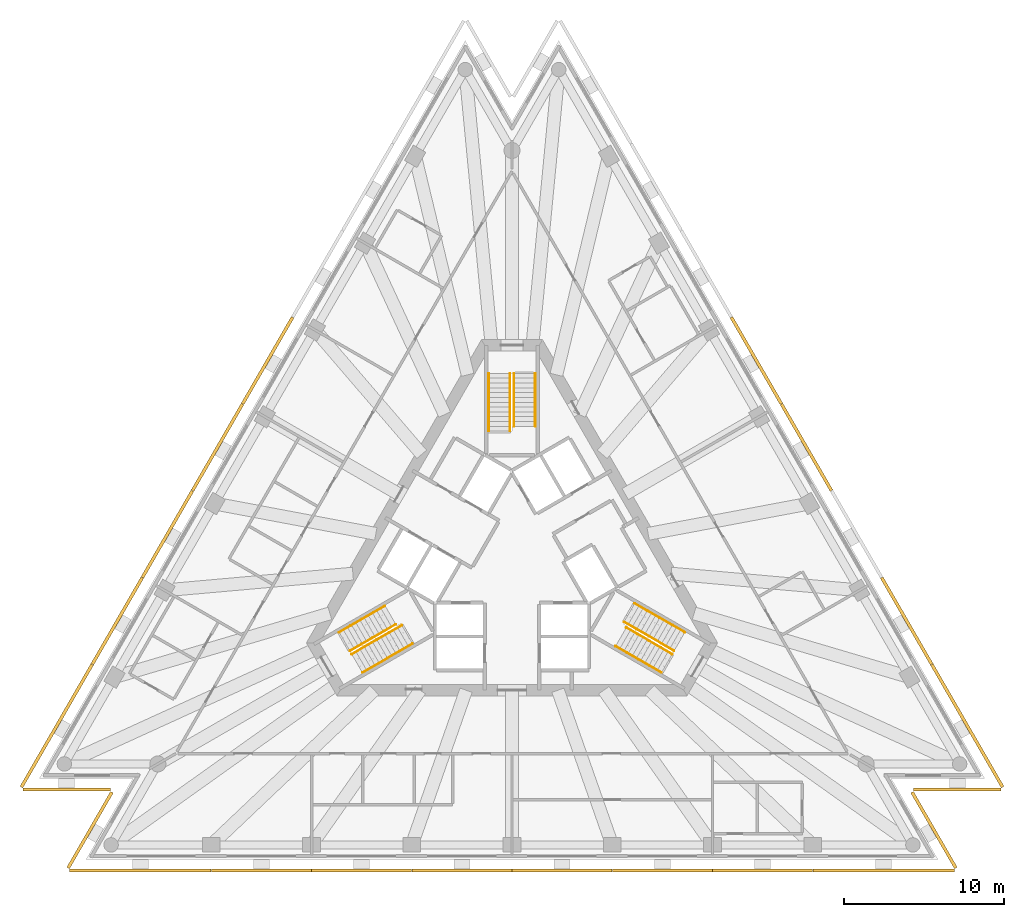
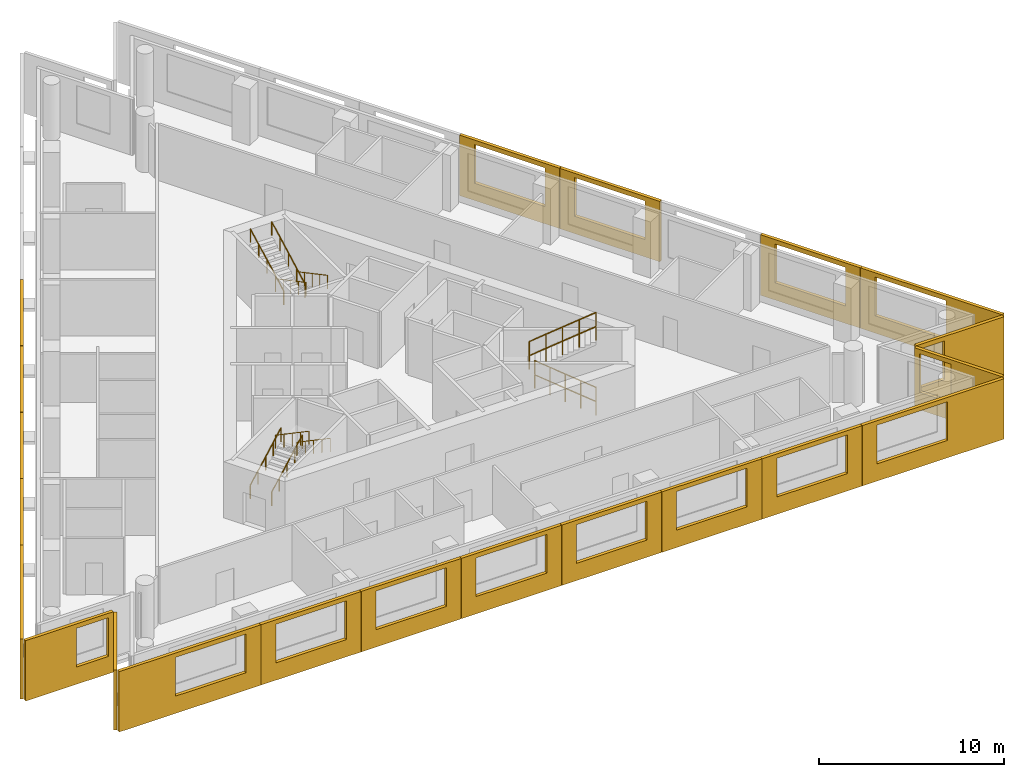
# One storey, part 9 of 10: 21 shading devices, 12 railings, 3 elements without a shape of their own.
"""IFC4 building model written with IfcOpenShell, lengths in metres."""

from ifc_helpers import new_model, si_unit, direction, frame, origin, origin_2d, place, context, subcontext, project, spatial, polyline, circle, outline, extrude, material, layer, layer_set, type_object, element, aggregate, save


model = new_model("IFC4")

# Units and contexts
model_context = context("Model", 3, precision=1e-05, world=origin(), true_north=direction((0.0, 1.0)))
body_context = subcontext(model_context, "Body", "Model", "MODEL_VIEW")
ifc_project = project(units=[si_unit("LENGTHUNIT", "METRE"), si_unit("AREAUNIT", "SQUARE_METRE"), si_unit("VOLUMEUNIT", "CUBIC_METRE"), si_unit("PLANEANGLEUNIT", "RADIAN"), si_unit("MASSUNIT", "GRAM", prefix="KILO")], contexts=[model_context])

# Site, building, storey
site_placement = place(None, origin())
site = spatial("IfcSite", under=ifc_project, at=site_placement, CompositionType="ELEMENT")
building_placement = place(site_placement, origin())
building = spatial("IfcBuilding", under=site, at=building_placement, Name="Triada Interchange Tower", CompositionType="ELEMENT")
storey_placement = place(building_placement, frame((0.0, 0.0, 191.300048828125)))
storey = spatial("IfcBuildingStorey", under=building, at=storey_placement, Name="L44", CompositionType="ELEMENT", Elevation=191.300048828125)

# Shading devices
ifc_material_1 = material(Name="Concrete C50/60 precast", Category="concrete")
ifc_layer_1 = layer(ifc_material_1, 0.02001953125, Name="Exposed aggregate face")
ifc_layer_2 = layer(ifc_material_1, 0.179931640625, Name="Precast concrete screen")
ifc_layer_set = layer_set([ifc_layer_1, ifc_layer_2], Name="Outer skin screen panel 3980")
shading_device_type = type_object("IfcShadingDeviceType", Name="Outer skin screen panel 3980", PredefinedType="SHUTTER", material=ifc_layer_set)
shading_device_1_placement = place(storey_placement, frame((-13.590087890625, 15.050048828125, -0.2900390625), z_axis=(0.0, 0.0, 1.0), x_axis=(-0.50008886669, -0.865974090497, 0.0)))
element("IfcShadingDevice", 1, at=shading_device_1_placement, inside=storey, type_object=shading_device_type, Name="Outer skin screen panel L44 04", PredefinedType="SHUTTER", context=body_context, shape_type="SweptSolid", body=[
    extrude(outline(polyline([(0.0, 0.0), (6.228759765625, 0.0), (6.228759765625, 3.97998046875), (0.0, 3.97998046875), (0.0, 0.0)]), holes=[polyline([(0.913818359375, 1.139892578125), (0.913818359375, 3.68994140625), (5.313720703125, 3.68994140625), (5.313720703125, 1.139892578125), (0.913818359375, 1.139892578125)])]), frame((0.0, 0.0, 0.0), z_axis=(0.0, -1.0, 0.0), x_axis=(1.0, 0.0, 0.0)), (0.0, 0.0, 1.0), 0.199951171875),
])
shading_device_2_placement = place(storey_placement, frame((-16.715087890625, 9.638916015625, -0.2900390625), z_axis=(0.0, 0.0, 1.0), x_axis=(-0.499988254918, -0.866032184704, 0.0)))
element("IfcShadingDevice", 2, at=shading_device_2_placement, inside=storey, type_object=shading_device_type, Name="Outer skin screen panel L44 05", PredefinedType="SHUTTER", context=body_context, shape_type="SweptSolid", body=[
    extrude(outline(polyline([(0.0, 0.0), (6.228271484375, 0.0), (6.228271484375, 3.97998046875), (0.0, 3.97998046875), (0.0, 0.0)]), holes=[polyline([(0.91357421875, 1.139892578125), (0.91357421875, 3.68994140625), (5.313720703125, 3.68994140625), (5.313720703125, 1.139892578125), (0.91357421875, 1.139892578125)])]), frame((0.0, 0.0, 0.0), z_axis=(0.0, -1.0, 0.0), x_axis=(1.0, 0.0, 0.0)), (0.0, 0.0, 1.0), 0.199951171875),
])
shading_device_3_placement = place(storey_placement, frame((-19.839111328125, 4.22802734375, -0.2900390625), z_axis=(0.0, 0.0, 1.0), x_axis=(-0.499941881293, -0.866058956036, 0.0)))
element("IfcShadingDevice", 3, at=shading_device_3_placement, inside=storey, type_object=shading_device_type, Name="Outer skin screen panel L44 06", PredefinedType="SHUTTER", context=body_context, shape_type="SweptSolid", body=[
    extrude(outline(polyline([(0.0, 0.0), (6.228271484375, 0.0), (6.228271484375, 3.97998046875), (0.0, 3.97998046875), (0.0, 0.0)]), holes=[polyline([(0.914306640625, 1.139892578125), (0.914306640625, 3.68994140625), (5.314208984375, 3.68994140625), (5.314208984375, 1.139892578125), (0.914306640625, 1.139892578125)])]), frame((0.0, 0.0, 0.0), z_axis=(0.0, -1.0, 0.0), x_axis=(1.0, 0.0, 0.0)), (0.0, 0.0, 1.0), 0.199951171875),
])
shading_device_4_placement = place(storey_placement, frame((-22.962890625, -1.18310546875, -0.2900390625), z_axis=(0.0, 0.0, 1.0), x_axis=(-0.499988254918, -0.866032184704, 0.0)))
element("IfcShadingDevice", 4, at=shading_device_4_placement, inside=storey, type_object=shading_device_type, Name="Outer skin screen panel L44 07", PredefinedType="SHUTTER", context=body_context, shape_type="SweptSolid", body=[
    extrude(outline(polyline([(0.0, 0.0), (6.228271484375, 0.0), (6.228271484375, 3.97998046875), (0.0, 3.97998046875), (0.0, 0.0)]), holes=[polyline([(0.9140625, 1.139892578125), (0.9140625, 3.68994140625), (5.314208984375, 3.68994140625), (5.314208984375, 1.139892578125), (0.9140625, 1.139892578125)])]), frame((0.0, 0.0, 0.0), z_axis=(0.0, -1.0, 0.0), x_axis=(1.0, 0.0, 0.0)), (0.0, 0.0, 1.0), 0.199951171875),
])
shading_device_5_placement = place(storey_placement, frame((-26.0869140625, -6.593994140625, -0.2900390625), z_axis=(0.0, 0.0, 1.0), x_axis=(-0.499982637805, -0.86603542762, 0.0)))
element("IfcShadingDevice", 5, at=shading_device_5_placement, inside=storey, type_object=shading_device_type, Name="Outer skin screen panel L44 08", PredefinedType="SHUTTER", context=body_context, shape_type="SweptSolid", body=[
    extrude(outline(polyline([(0.0, 0.0), (8.826416015625, 0.0), (8.826416015625, 3.97998046875), (0.0, 3.97998046875), (0.0, 0.0)]), holes=[polyline([(0.913818359375, 1.139892578125), (0.913818359375, 3.68994140625), (5.31396484375, 3.68994140625), (5.31396484375, 1.139892578125), (0.913818359375, 1.139892578125)])]), frame((0.0, 0.0, 0.0), z_axis=(0.0, -1.0, 0.0), x_axis=(1.0, 0.0, 0.0)), (0.0, 0.0, 1.0), 0.199951171875),
])
shading_device_6_placement = place(storey_placement, frame((-30.4951171875, -14.2470703125, -0.2900390625), z_axis=(0.0, 0.0, 1.0), x_axis=(1.0, 0.0, 0.0)))
element("IfcShadingDevice", 6, at=shading_device_6_placement, inside=storey, type_object=shading_device_type, Name="Outer skin screen panel L44 09", PredefinedType="SHUTTER", context=body_context, shape_type="SweptSolid", body=[
    extrude(outline(polyline([(0.0, 0.0), (5.461181640625, 0.0), (5.461181640625, 3.97998046875), (0.0, 3.97998046875), (0.0, 0.0)]), holes=[polyline([(3.175048828125, 1.139892578125), (3.175048828125, 3.68994140625), (5.160888671875, 3.68994140625), (5.160888671875, 1.139892578125), (3.175048828125, 1.139892578125)])]), frame((0.0, 0.0, 0.0), z_axis=(0.0, -1.0, 0.0), x_axis=(1.0, 0.0, 0.0)), (0.0, 0.0, 1.0), 0.199951171875),
])
shading_device_7_placement = place(storey_placement, frame((-24.85498046875, -14.555908203125, -0.2900390625), z_axis=(0.0, 0.0, 1.0), x_axis=(-0.500013942463, -0.86601735395, 0.0)))
element("IfcShadingDevice", 7, at=shading_device_7_placement, inside=storey, type_object=shading_device_type, Name="Outer skin screen panel L44 10", PredefinedType="SHUTTER", context=body_context, shape_type="SweptSolid", body=[
    extrude(outline(polyline([(0.0, 0.0), (5.461669921875, 0.0), (5.461669921875, 3.97998046875), (0.0, 3.97998046875), (0.0, 0.0)]), holes=[polyline([(0.300048828125, 1.139892578125), (0.300048828125, 3.68994140625), (1.758056640625, 3.68994140625), (1.758056640625, 1.139892578125), (0.300048828125, 1.139892578125)])]), frame((0.0, 0.0, 0.0), z_axis=(0.0, -1.0, 0.0), x_axis=(1.0, 0.0, 0.0)), (0.0, 0.0, 1.0), 0.199951171875),
])
shading_device_8_placement = place(storey_placement, frame((-27.5810546875, -19.294921875, -0.2900390625), z_axis=(0.0, 0.0, 1.0), x_axis=(1.0, 0.0, 0.0)))
element("IfcShadingDevice", 8, at=shading_device_8_placement, inside=storey, type_object=shading_device_type, Name="Outer skin screen panel L44 11", PredefinedType="SHUTTER", context=body_context, shape_type="SweptSolid", body=[
    extrude(outline(polyline([(0.0, 0.0), (8.826171875, 0.0), (8.826171875, 3.97998046875), (0.0, 3.97998046875), (0.0, 0.0)]), holes=[polyline([(3.511962890625, 1.139892578125), (3.511962890625, 3.68994140625), (7.912109375, 3.68994140625), (7.912109375, 1.139892578125), (3.511962890625, 1.139892578125)])]), frame((0.0, 0.0, 0.0), z_axis=(0.0, -1.0, 0.0), x_axis=(1.0, 0.0, 0.0)), (0.0, 0.0, 1.0), 0.199951171875),
])
shading_device_9_placement = place(storey_placement, frame((-18.735107421875, -19.294921875, -0.2900390625), z_axis=(0.0, 0.0, 1.0), x_axis=(1.0, 0.0, 0.0)))
element("IfcShadingDevice", 9, at=shading_device_9_placement, inside=storey, type_object=shading_device_type, Name="Outer skin screen panel L44 12", PredefinedType="SHUTTER", context=body_context, shape_type="SweptSolid", body=[
    extrude(outline(polyline([(0.0, 0.0), (6.22900390625, 0.0), (6.22900390625, 3.97998046875), (0.0, 3.97998046875), (0.0, 0.0)]), holes=[polyline([(0.913818359375, 1.139892578125), (0.913818359375, 3.68994140625), (5.313720703125, 3.68994140625), (5.313720703125, 1.139892578125), (0.913818359375, 1.139892578125)])]), frame((0.0, 0.0, 0.0), z_axis=(0.0, -1.0, 0.0), x_axis=(1.0, 0.0, 0.0)), (0.0, 0.0, 1.0), 0.199951171875),
])
shading_device_10_placement = place(storey_placement, frame((-12.486083984375, -19.294921875, -0.2900390625), z_axis=(0.0, 0.0, 1.0), x_axis=(1.0, 0.0, 0.0)))
element("IfcShadingDevice", 10, at=shading_device_10_placement, inside=storey, type_object=shading_device_type, Name="Outer skin screen panel L44 13", PredefinedType="SHUTTER", context=body_context, shape_type="SweptSolid", body=[
    extrude(outline(polyline([(0.0, 0.0), (6.22802734375, 0.0), (6.22802734375, 3.97998046875), (0.0, 3.97998046875), (0.0, 0.0)]), holes=[polyline([(0.91455078125, 1.139892578125), (0.91455078125, 3.68994140625), (5.314453125, 3.68994140625), (5.314453125, 1.139892578125), (0.91455078125, 1.139892578125)])]), frame((0.0, 0.0, 0.0), z_axis=(0.0, -1.0, 0.0), x_axis=(1.0, 0.0, 0.0)), (0.0, 0.0, 1.0), 0.199951171875),
])
shading_device_11_placement = place(storey_placement, frame((-6.238037109375, -19.294921875, -0.2900390625), z_axis=(0.0, 0.0, 1.0), x_axis=(1.0, 0.0, 0.0)))
element("IfcShadingDevice", 11, at=shading_device_11_placement, inside=storey, type_object=shading_device_type, Name="Outer skin screen panel L44 14", PredefinedType="SHUTTER", context=body_context, shape_type="SweptSolid", body=[
    extrude(outline(polyline([(0.0, 0.0), (6.22802734375, 0.0), (6.22802734375, 3.97998046875), (0.0, 3.97998046875), (0.0, 0.0)]), holes=[polyline([(0.914306640625, 1.139892578125), (0.914306640625, 3.68994140625), (5.314208984375, 3.68994140625), (5.314208984375, 1.139892578125), (0.914306640625, 1.139892578125)])]), frame((0.0, 0.0, 0.0), z_axis=(0.0, -1.0, 0.0), x_axis=(1.0, 0.0, 0.0)), (0.0, 0.0, 1.0), 0.199951171875),
])
shading_device_12_placement = place(storey_placement, frame((0.010009765625, -19.294921875, -0.2900390625), z_axis=(0.0, 0.0, 1.0), x_axis=(1.0, 0.0, 0.0)))
element("IfcShadingDevice", 12, at=shading_device_12_placement, inside=storey, type_object=shading_device_type, Name="Outer skin screen panel L44 15", PredefinedType="SHUTTER", context=body_context, shape_type="SweptSolid", body=[
    extrude(outline(polyline([(0.0, 0.0), (6.22802734375, 0.0), (6.22802734375, 3.97998046875), (0.0, 3.97998046875), (0.0, 0.0)]), holes=[polyline([(0.9140625, 1.139892578125), (0.9140625, 3.68994140625), (5.31396484375, 3.68994140625), (5.31396484375, 1.139892578125), (0.9140625, 1.139892578125)])]), frame((0.0, 0.0, 0.0), z_axis=(0.0, -1.0, 0.0), x_axis=(1.0, 0.0, 0.0)), (0.0, 0.0, 1.0), 0.199951171875),
])
shading_device_13_placement = place(storey_placement, frame((6.258056640625, -19.294921875, -0.2900390625), z_axis=(0.0, 0.0, 1.0), x_axis=(1.0, 0.0, 0.0)))
element("IfcShadingDevice", 13, at=shading_device_13_placement, inside=storey, type_object=shading_device_type, Name="Outer skin screen panel L44 16", PredefinedType="SHUTTER", context=body_context, shape_type="SweptSolid", body=[
    extrude(outline(polyline([(0.0, 0.0), (6.22900390625, 0.0), (6.22900390625, 3.97998046875), (0.0, 3.97998046875), (0.0, 0.0)]), holes=[polyline([(0.913818359375, 1.139892578125), (0.913818359375, 3.68994140625), (5.313720703125, 3.68994140625), (5.313720703125, 1.139892578125), (0.913818359375, 1.139892578125)])]), frame((0.0, 0.0, 0.0), z_axis=(0.0, -1.0, 0.0), x_axis=(1.0, 0.0, 0.0)), (0.0, 0.0, 1.0), 0.199951171875),
])
shading_device_14_placement = place(storey_placement, frame((12.507080078125, -19.294921875, -0.2900390625), z_axis=(0.0, 0.0, 1.0), x_axis=(1.0, 0.0, 0.0)))
element("IfcShadingDevice", 14, at=shading_device_14_placement, inside=storey, type_object=shading_device_type, Name="Outer skin screen panel L44 17", PredefinedType="SHUTTER", context=body_context, shape_type="SweptSolid", body=[
    extrude(outline(polyline([(0.0, 0.0), (6.22802734375, 0.0), (6.22802734375, 3.97998046875), (0.0, 3.97998046875), (0.0, 0.0)]), holes=[polyline([(0.91455078125, 1.139892578125), (0.91455078125, 3.68994140625), (5.314453125, 3.68994140625), (5.314453125, 1.139892578125), (0.91455078125, 1.139892578125)])]), frame((0.0, 0.0, 0.0), z_axis=(0.0, -1.0, 0.0), x_axis=(1.0, 0.0, 0.0)), (0.0, 0.0, 1.0), 0.199951171875),
])
shading_device_15_placement = place(storey_placement, frame((18.7548828125, -19.294921875, -0.2900390625), z_axis=(0.0, 0.0, 1.0), x_axis=(1.0, 0.0, 0.0)))
element("IfcShadingDevice", 15, at=shading_device_15_placement, inside=storey, type_object=shading_device_type, Name="Outer skin screen panel L44 18", PredefinedType="SHUTTER", context=body_context, shape_type="SweptSolid", body=[
    extrude(outline(polyline([(0.0, 0.0), (8.826171875, 0.0), (8.826171875, 3.97998046875), (0.0, 3.97998046875), (0.0, 0.0)]), holes=[polyline([(0.914306640625, 1.139892578125), (0.914306640625, 3.68994140625), (5.314208984375, 3.68994140625), (5.314208984375, 1.139892578125), (0.914306640625, 1.139892578125)])]), frame((0.0, 0.0, 0.0), z_axis=(0.0, -1.0, 0.0), x_axis=(1.0, 0.0, 0.0)), (0.0, 0.0, 1.0), 0.199951171875),
])
shading_device_16_placement = place(storey_placement, frame((27.5859375, -19.285888671875, -0.2900390625), z_axis=(0.0, 0.0, 1.0), x_axis=(-0.500013942463, 0.86601735395, 0.0)))
element("IfcShadingDevice", 16, at=shading_device_16_placement, inside=storey, type_object=shading_device_type, Name="Outer skin screen panel L44 19", PredefinedType="SHUTTER", context=body_context, shape_type="SweptSolid", body=[
    extrude(outline(polyline([(0.0, 0.0), (5.461669921875, 0.0), (5.461669921875, 3.97998046875), (0.0, 3.97998046875), (0.0, 0.0)]), holes=[polyline([(3.17529296875, 1.139892578125), (3.17529296875, 3.68994140625), (5.162109375, 3.68994140625), (5.162109375, 1.139892578125), (3.17529296875, 1.139892578125)])]), frame((0.0, 0.0, 0.0), z_axis=(0.0, -1.0, 0.0), x_axis=(1.0, 0.0, 0.0)), (0.0, 0.0, 1.0), 0.199951171875),
])
shading_device_17_placement = place(storey_placement, frame((25.033935546875, -14.2470703125, -0.2900390625), z_axis=(0.0, 0.0, 1.0), x_axis=(1.0, 0.0, 0.0)))
element("IfcShadingDevice", 17, at=shading_device_17_placement, inside=storey, type_object=shading_device_type, Name="Outer skin screen panel L44 20", PredefinedType="SHUTTER", context=body_context, shape_type="SweptSolid", body=[
    extrude(outline(polyline([(0.0, 0.0), (5.461181640625, 0.0), (5.461181640625, 3.97998046875), (0.0, 3.97998046875), (0.0, 0.0)]), holes=[polyline([(0.300048828125, 1.139892578125), (0.300048828125, 3.68994140625), (1.758056640625, 3.68994140625), (1.758056640625, 1.139892578125), (0.300048828125, 1.139892578125)])]), frame((0.0, 0.0, 0.0), z_axis=(0.0, -1.0, 0.0), x_axis=(1.0, 0.0, 0.0)), (0.0, 0.0, 1.0), 0.199951171875),
])
shading_device_18_placement = place(storey_placement, frame((30.5, -14.238037109375, -0.2900390625), z_axis=(0.0, 0.0, 1.0), x_axis=(-0.499982637805, 0.86603542762, 0.0)))
element("IfcShadingDevice", 18, at=shading_device_18_placement, inside=storey, type_object=shading_device_type, Name="Outer skin screen panel L44 21", PredefinedType="SHUTTER", context=body_context, shape_type="SweptSolid", body=[
    extrude(outline(polyline([(0.0, 0.0), (8.826416015625, 0.0), (8.826416015625, 3.97998046875), (0.0, 3.97998046875), (0.0, 0.0)]), holes=[polyline([(3.51220703125, 1.139892578125), (3.51220703125, 3.68994140625), (7.912353515625, 3.68994140625), (7.912353515625, 1.139892578125), (3.51220703125, 1.139892578125)])]), frame((0.0, 0.0, 0.0), z_axis=(0.0, -1.0, 0.0), x_axis=(1.0, 0.0, 0.0)), (0.0, 0.0, 1.0), 0.199951171875),
])
shading_device_19_placement = place(storey_placement, frame((26.076904296875, -6.576904296875, -0.2900390625), z_axis=(0.0, 0.0, 1.0), x_axis=(-0.499988254918, 0.866032184704, 0.0)))
element("IfcShadingDevice", 19, at=shading_device_19_placement, inside=storey, type_object=shading_device_type, Name="Outer skin screen panel L44 22", PredefinedType="SHUTTER", context=body_context, shape_type="SweptSolid", body=[
    extrude(outline(polyline([(0.0, 0.0), (6.228271484375, 0.0), (6.228271484375, 3.97998046875), (0.0, 3.97998046875), (0.0, 0.0)]), holes=[polyline([(0.9140625, 1.139892578125), (0.9140625, 3.68994140625), (5.31396484375, 3.68994140625), (5.31396484375, 1.139892578125), (0.9140625, 1.139892578125)])]), frame((0.0, 0.0, 0.0), z_axis=(0.0, -1.0, 0.0), x_axis=(1.0, 0.0, 0.0)), (0.0, 0.0, 1.0), 0.199951171875),
])
shading_device_20_placement = place(storey_placement, frame((19.8291015625, 4.2451171875, -0.2900390625), z_axis=(0.0, 0.0, 1.0), x_axis=(-0.499988254918, 0.866032184704, 0.0)))
element("IfcShadingDevice", 20, at=shading_device_20_placement, inside=storey, type_object=shading_device_type, Name="Outer skin screen panel L44 24", PredefinedType="SHUTTER", context=body_context, shape_type="SweptSolid", body=[
    extrude(outline(polyline([(0.0, 0.0), (6.228271484375, 0.0), (6.228271484375, 3.97998046875), (0.0, 3.97998046875), (0.0, 0.0)]), holes=[polyline([(0.91455078125, 1.139892578125), (0.91455078125, 3.68994140625), (5.314453125, 3.68994140625), (5.314453125, 1.139892578125), (0.91455078125, 1.139892578125)])]), frame((0.0, 0.0, 0.0), z_axis=(0.0, -1.0, 0.0), x_axis=(1.0, 0.0, 0.0)), (0.0, 0.0, 1.0), 0.199951171875),
])
shading_device_21_placement = place(storey_placement, frame((16.705078125, 9.656005859375, -0.2900390625), z_axis=(0.0, 0.0, 1.0), x_axis=(-0.50008886669, 0.865974090497, 0.0)))
element("IfcShadingDevice", 21, at=shading_device_21_placement, inside=storey, type_object=shading_device_type, Name="Outer skin screen panel L44 25", PredefinedType="SHUTTER", context=body_context, shape_type="SweptSolid", body=[
    extrude(outline(polyline([(0.0, 0.0), (6.228759765625, 0.0), (6.228759765625, 3.97998046875), (0.0, 3.97998046875), (0.0, 0.0)]), holes=[polyline([(0.914306640625, 1.139892578125), (0.914306640625, 3.68994140625), (5.314208984375, 3.68994140625), (5.314208984375, 1.139892578125), (0.914306640625, 1.139892578125)])]), frame((0.0, 0.0, 0.0), z_axis=(0.0, -1.0, 0.0), x_axis=(1.0, 0.0, 0.0)), (0.0, 0.0, 1.0), 0.199951171875),
])

# Stair, railings
ifc_material_2 = material(Name="Concrete C35/45", Category="concrete")
stair_type = type_object("IfcStairType", Name="HALF TURN STAIR 1400", PredefinedType="HALF_TURN_STAIR", material=ifc_material_2)
stair_1_placement = place(storey_placement, origin())
stair_1 = element("IfcStair", 22, at=stair_1_placement, inside=storey, type_object=stair_type, Name="Exit stair S44-1", PredefinedType="HALF_TURN_STAIR")
ifc_material_3 = material(Name="Stainless steel 1.4301", Category="steel")
railing_type = type_object("IfcRailingType", Name="STAIR HANDRAIL 900", PredefinedType="HANDRAIL", material=ifc_material_3)
railing_1_placement = place(storey_placement, frame((1.449951171875, 11.60009765625, 0.159912109375)))
railing_1 = element("IfcRailing", 23, at=railing_1_placement, type_object=railing_type, Name="Handrail S44-1 1W", PredefinedType="HANDRAIL", context=body_context, shape_type="SweptSolid", body=[
    extrude(circle(Radius=0.02392578125, at=origin_2d()), frame((0.0, 0.0, 0.8759765625), z_axis=(0.0, -0.882354748157, 0.47058484719), x_axis=(1.0, 0.0, 0.0)), (0.0, 0.0, 1.0), 3.739990234375),
    extrude(circle(Radius=0.02099609375, at=origin_2d()), origin(), (0.0, 0.0, 1.0), 0.851806640625),
    extrude(circle(Radius=0.02099609375, at=origin_2d()), frame((0.0, -0.824951171875, 0.43994140625)), (0.0, 0.0, 1.0), 0.851806640625),
    extrude(circle(Radius=0.02099609375, at=origin_2d()), frame((0.0, -1.64990234375, 0.8798828125)), (0.0, 0.0, 1.0), 0.851806640625),
    extrude(circle(Radius=0.02099609375, at=origin_2d()), frame((0.0, -2.47509765625, 1.320068359375)), (0.0, 0.0, 1.0), 0.851806640625),
    extrude(circle(Radius=0.02099609375, at=origin_2d()), frame((0.0, -3.300048828125, 1.760009765625)), (0.0, 0.0, 1.0), 0.851806640625),
])
railing_2_placement = place(storey_placement, frame((0.1201171875, 11.60009765625, 0.159912109375)))
railing_2 = element("IfcRailing", 24, at=railing_2_placement, type_object=railing_type, Name="Handrail S44-1 1C", PredefinedType="HANDRAIL", context=body_context, shape_type="SweptSolid", body=[
    extrude(circle(Radius=0.02392578125, at=origin_2d()), frame((0.0, 0.0, 0.8759765625), z_axis=(0.0, -0.882354748157, 0.47058484719), x_axis=(1.0, 0.0, 0.0)), (0.0, 0.0, 1.0), 3.739990234375),
    extrude(circle(Radius=0.02099609375, at=origin_2d()), origin(), (0.0, 0.0, 1.0), 0.851806640625),
    extrude(circle(Radius=0.02099609375, at=origin_2d()), frame((0.0, -0.824951171875, 0.43994140625)), (0.0, 0.0, 1.0), 0.851806640625),
    extrude(circle(Radius=0.02099609375, at=origin_2d()), frame((0.0, -1.64990234375, 0.8798828125)), (0.0, 0.0, 1.0), 0.851806640625),
    extrude(circle(Radius=0.02099609375, at=origin_2d()), frame((0.0, -2.47509765625, 1.320068359375)), (0.0, 0.0, 1.0), 0.851806640625),
    extrude(circle(Radius=0.02099609375, at=origin_2d()), frame((0.0, -3.300048828125, 1.760009765625)), (0.0, 0.0, 1.0), 0.851806640625),
])
railing_3_placement = place(storey_placement, frame((-1.449951171875, 8.0, 2.079833984375)))
railing_3 = element("IfcRailing", 25, at=railing_3_placement, type_object=railing_type, Name="Handrail S44-1 2W", PredefinedType="HANDRAIL", context=body_context, shape_type="SweptSolid", body=[
    extrude(circle(Radius=0.02392578125, at=origin_2d()), frame((0.0, 0.0, 0.8759765625), z_axis=(0.0, 0.882341346394, 0.470609974867), x_axis=(-1.0, 0.0, 0.0)), (0.0, 0.0, 1.0), 4.080078125),
    extrude(circle(Radius=0.02099609375, at=origin_2d()), origin(), (0.0, 0.0, 1.0), 0.851806640625),
    extrude(circle(Radius=0.02099609375, at=origin_2d()), frame((0.0, 0.89990234375, 0.47998046875)), (0.0, 0.0, 1.0), 0.851806640625),
    extrude(circle(Radius=0.02099609375, at=origin_2d()), frame((0.0, 1.800048828125, 0.9599609375)), (0.0, 0.0, 1.0), 0.851806640625),
    extrude(circle(Radius=0.02099609375, at=origin_2d()), frame((0.0, 2.7001953125, 1.440185546875)), (0.0, 0.0, 1.0), 0.851806640625),
    extrude(circle(Radius=0.02099609375, at=origin_2d()), frame((0.0, 3.60009765625, 1.920166015625)), (0.0, 0.0, 1.0), 0.851806640625),
])
railing_4_placement = place(storey_placement, frame((-0.1201171875, 8.0, 2.079833984375)))
railing_4 = element("IfcRailing", 26, at=railing_4_placement, type_object=railing_type, Name="Handrail S44-1 2C", PredefinedType="HANDRAIL", context=body_context, shape_type="SweptSolid", body=[
    extrude(circle(Radius=0.02392578125, at=origin_2d()), frame((0.0, 0.0, 0.8759765625), z_axis=(0.0, 0.882341346394, 0.470609974867), x_axis=(-1.0, 0.0, 0.0)), (0.0, 0.0, 1.0), 4.080078125),
    extrude(circle(Radius=0.02099609375, at=origin_2d()), origin(), (0.0, 0.0, 1.0), 0.851806640625),
    extrude(circle(Radius=0.02099609375, at=origin_2d()), frame((0.0, 0.89990234375, 0.47998046875)), (0.0, 0.0, 1.0), 0.851806640625),
    extrude(circle(Radius=0.02099609375, at=origin_2d()), frame((0.0, 1.800048828125, 0.9599609375)), (0.0, 0.0, 1.0), 0.851806640625),
    extrude(circle(Radius=0.02099609375, at=origin_2d()), frame((0.0, 2.7001953125, 1.440185546875)), (0.0, 0.0, 1.0), 0.851806640625),
    extrude(circle(Radius=0.02099609375, at=origin_2d()), frame((0.0, 3.60009765625, 1.920166015625)), (0.0, 0.0, 1.0), 0.851806640625),
])
aggregate(stair_1, [railing_1, railing_2, railing_3, railing_4])

stair_2_placement = place(storey_placement, origin())
stair_2 = element("IfcStair", 27, at=stair_2_placement, inside=storey, type_object=stair_type, Name="Exit stair S44-2", PredefinedType="HALF_TURN_STAIR")
railing_5_placement = place(storey_placement, frame((-10.77099609375, -4.5439453125, 0.159912109375)))
railing_5 = element("IfcRailing", 28, at=railing_5_placement, type_object=railing_type, Name="Handrail S44-2 1W", PredefinedType="HANDRAIL", context=body_context, shape_type="SweptSolid", body=[
    extrude(circle(Radius=0.02392578125, at=origin_2d()), frame((0.0, 0.0, 0.8759765625), z_axis=(0.764150854273, 0.441152526326, 0.470593158077), x_axis=(-0.499974350878, 0.866040211805, 0.0)), (0.0, 0.0, 1.0), 3.739990234375),
    extrude(circle(Radius=0.02099609375, at=origin_2d()), origin(), (0.0, 0.0, 1.0), 0.851806640625),
    extrude(circle(Radius=0.02099609375, at=origin_2d()), frame((0.71435546875, 0.41259765625, 0.43994140625)), (0.0, 0.0, 1.0), 0.851806640625),
    extrude(circle(Radius=0.02099609375, at=origin_2d()), frame((1.428955078125, 0.824951171875, 0.8798828125)), (0.0, 0.0, 1.0), 0.851806640625),
    extrude(circle(Radius=0.02099609375, at=origin_2d()), frame((2.1435546875, 1.2373046875, 1.320068359375)), (0.0, 0.0, 1.0), 0.851806640625),
    extrude(circle(Radius=0.02099609375, at=origin_2d()), frame((2.85791015625, 1.64990234375, 1.760009765625)), (0.0, 0.0, 1.0), 0.851806640625),
])
railing_6_placement = place(storey_placement, frame((-10.10595703125, -5.696044921875, 0.159912109375)))
railing_6 = element("IfcRailing", 29, at=railing_6_placement, type_object=railing_type, Name="Handrail S44-2 1C", PredefinedType="HANDRAIL", context=body_context, shape_type="SweptSolid", body=[
    extrude(circle(Radius=0.02392578125, at=origin_2d()), frame((0.0, 0.0, 0.8759765625), z_axis=(0.76412884773, 0.441205098395, 0.470579605611), x_axis=(-0.50002983664, 0.866008176907, 0.0)), (0.0, 0.0, 1.0), 3.739990234375),
    extrude(circle(Radius=0.02099609375, at=origin_2d()), origin(), (0.0, 0.0, 1.0), 0.851806640625),
    extrude(circle(Radius=0.02099609375, at=origin_2d()), frame((0.71435546875, 0.41259765625, 0.43994140625)), (0.0, 0.0, 1.0), 0.851806640625),
    extrude(circle(Radius=0.02099609375, at=origin_2d()), frame((1.428955078125, 0.8251953125, 0.8798828125)), (0.0, 0.0, 1.0), 0.851806640625),
    extrude(circle(Radius=0.02099609375, at=origin_2d()), frame((2.1435546875, 1.237548828125, 1.320068359375)), (0.0, 0.0, 1.0), 0.851806640625),
    extrude(circle(Radius=0.02099609375, at=origin_2d()), frame((2.85791015625, 1.650146484375, 1.760009765625)), (0.0, 0.0, 1.0), 0.851806640625),
])
railing_7_placement = place(storey_placement, frame((-6.202880859375, -5.256103515625, 2.079833984375)))
railing_7 = element("IfcRailing", 30, at=railing_7_placement, type_object=railing_type, Name="Handrail S44-2 2W", PredefinedType="HANDRAIL", context=body_context, shape_type="SweptSolid", body=[
    extrude(circle(Radius=0.02392578125, at=origin_2d()), frame((0.0, 0.0, 0.8759765625), z_axis=(-0.764189758314, -0.441090424232, 0.470588196769), x_axis=(0.499902469156, -0.866081705922, 0.0)), (0.0, 0.0, 1.0), 4.080322265625),
    extrude(circle(Radius=0.02099609375, at=origin_2d()), origin(), (0.0, 0.0, 1.0), 0.851806640625),
    extrude(circle(Radius=0.02099609375, at=origin_2d()), frame((-0.779541015625, -0.449951171875, 0.47998046875)), (0.0, 0.0, 1.0), 0.851806640625),
    extrude(circle(Radius=0.02099609375, at=origin_2d()), frame((-1.55908203125, -0.89990234375, 0.9599609375)), (0.0, 0.0, 1.0), 0.851806640625),
    extrude(circle(Radius=0.02099609375, at=origin_2d()), frame((-2.338623046875, -1.349853515625, 1.440185546875)), (0.0, 0.0, 1.0), 0.851806640625),
    extrude(circle(Radius=0.02099609375, at=origin_2d()), frame((-3.1181640625, -1.7998046875, 1.920166015625)), (0.0, 0.0, 1.0), 0.851806640625),
])
railing_8_placement = place(storey_placement, frame((-6.867919921875, -4.10400390625, 2.079833984375)))
railing_8 = element("IfcRailing", 31, at=railing_8_placement, type_object=railing_type, Name="Handrail S44-2 2C", PredefinedType="HANDRAIL", context=body_context, shape_type="SweptSolid", body=[
    extrude(circle(Radius=0.02392578125, at=origin_2d()), frame((0.0, 0.0, 0.8759765625), z_axis=(-0.764169589359, -0.441138614339, 0.470575776723), x_axis=(0.49995333141, -0.866052346231, 0.0)), (0.0, 0.0, 1.0), 4.08056640625),
    extrude(circle(Radius=0.02099609375, at=origin_2d()), origin(), (0.0, 0.0, 1.0), 0.851806640625),
    extrude(circle(Radius=0.02099609375, at=origin_2d()), frame((-0.779541015625, -0.449951171875, 0.47998046875)), (0.0, 0.0, 1.0), 0.851806640625),
    extrude(circle(Radius=0.02099609375, at=origin_2d()), frame((-1.55908203125, -0.89990234375, 0.9599609375)), (0.0, 0.0, 1.0), 0.851806640625),
    extrude(circle(Radius=0.02099609375, at=origin_2d()), frame((-2.338623046875, -1.35009765625, 1.440185546875)), (0.0, 0.0, 1.0), 0.851806640625),
    extrude(circle(Radius=0.02099609375, at=origin_2d()), frame((-3.1181640625, -1.800048828125, 1.920166015625)), (0.0, 0.0, 1.0), 0.851806640625),
])
aggregate(stair_2, [railing_5, railing_6, railing_7, railing_8])

stair_3_placement = place(storey_placement, origin())
stair_3 = element("IfcStair", 32, at=stair_3_placement, inside=storey, type_object=stair_type, Name="Exit stair S44-3", PredefinedType="HALF_TURN_STAIR")
railing_9_placement = place(storey_placement, frame((9.321044921875, -7.055908203125, 0.159912109375)))
railing_9 = element("IfcRailing", 33, at=railing_9_placement, type_object=railing_type, Name="Handrail S44-3 1W", PredefinedType="HANDRAIL", context=body_context, shape_type="SweptSolid", body=[
    extrude(circle(Radius=0.02392578125, at=origin_2d()), frame((0.0, 0.0, 0.8759765625), z_axis=(-0.764178012919, 0.441130521168, 0.470569684388), x_axis=(-0.499942318283, -0.866058703778, 0.0)), (0.0, 0.0, 1.0), 3.740234375),
    extrude(circle(Radius=0.02099609375, at=origin_2d()), origin(), (0.0, 0.0, 1.0), 0.851806640625),
    extrude(circle(Radius=0.02099609375, at=origin_2d()), frame((-0.714599609375, 0.41259765625, 0.43994140625)), (0.0, 0.0, 1.0), 0.851806640625),
    extrude(circle(Radius=0.02099609375, at=origin_2d()), frame((-1.42919921875, 0.824951171875, 0.8798828125)), (0.0, 0.0, 1.0), 0.851806640625),
    extrude(circle(Radius=0.02099609375, at=origin_2d()), frame((-2.1435546875, 1.2373046875, 1.320068359375)), (0.0, 0.0, 1.0), 0.851806640625),
    extrude(circle(Radius=0.02099609375, at=origin_2d()), frame((-2.858154296875, 1.64990234375, 1.760009765625)), (0.0, 0.0, 1.0), 0.851806640625),
])
railing_10_placement = place(storey_placement, frame((9.986083984375, -5.904052734375, 0.159912109375)))
railing_10 = element("IfcRailing", 34, at=railing_10_placement, type_object=railing_type, Name="Handrail S44-3 1C", PredefinedType="HANDRAIL", context=body_context, shape_type="SweptSolid", body=[
    extrude(circle(Radius=0.02392578125, at=origin_2d()), frame((0.0, 0.0, 0.8759765625), z_axis=(-0.764156007789, 0.441183091881, 0.47055613395), x_axis=(-0.49999780286, -0.8660266723, 0.0)), (0.0, 0.0, 1.0), 3.740234375),
    extrude(circle(Radius=0.02099609375, at=origin_2d()), origin(), (0.0, 0.0, 1.0), 0.851806640625),
    extrude(circle(Radius=0.02099609375, at=origin_2d()), frame((-0.714599609375, 0.41259765625, 0.43994140625)), (0.0, 0.0, 1.0), 0.851806640625),
    extrude(circle(Radius=0.02099609375, at=origin_2d()), frame((-1.42919921875, 0.8251953125, 0.8798828125)), (0.0, 0.0, 1.0), 0.851806640625),
    extrude(circle(Radius=0.02099609375, at=origin_2d()), frame((-2.1435546875, 1.237548828125, 1.320068359375)), (0.0, 0.0, 1.0), 0.851806640625),
    extrude(circle(Radius=0.02099609375, at=origin_2d()), frame((-2.858154296875, 1.650146484375, 1.760009765625)), (0.0, 0.0, 1.0), 0.851806640625),
])
railing_11_placement = place(storey_placement, frame((7.653076171875, -2.743896484375, 2.079833984375)))
railing_11 = element("IfcRailing", 35, at=railing_11_placement, type_object=railing_type, Name="Handrail S44-3 2W", PredefinedType="HANDRAIL", context=body_context, shape_type="SweptSolid", body=[
    extrude(circle(Radius=0.02392578125, at=origin_2d()), frame((0.0, 0.0, 0.8759765625), z_axis=(0.76414469501, -0.441158784458, 0.470597292793), x_axis=(0.499982693035, 0.866035395735, 0.0)), (0.0, 0.0, 1.0), 4.080322265625),
    extrude(circle(Radius=0.02099609375, at=origin_2d()), origin(), (0.0, 0.0, 1.0), 0.851806640625),
    extrude(circle(Radius=0.02099609375, at=origin_2d()), frame((0.779541015625, -0.449951171875, 0.47998046875)), (0.0, 0.0, 1.0), 0.851806640625),
    extrude(circle(Radius=0.02099609375, at=origin_2d()), frame((1.55908203125, -0.89990234375, 0.9599609375)), (0.0, 0.0, 1.0), 0.851806640625),
    extrude(circle(Radius=0.02099609375, at=origin_2d()), frame((2.33837890625, -1.35009765625, 1.440185546875)), (0.0, 0.0, 1.0), 0.851806640625),
    extrude(circle(Radius=0.02099609375, at=origin_2d()), frame((3.117919921875, -1.800048828125, 1.920166015625)), (0.0, 0.0, 1.0), 0.851806640625),
])
railing_12_placement = place(storey_placement, frame((6.988037109375, -3.89599609375, 2.079833984375)))
railing_12 = element("IfcRailing", 36, at=railing_12_placement, type_object=railing_type, Name="Handrail S44-3 2C", PredefinedType="HANDRAIL", context=body_context, shape_type="SweptSolid", body=[
    extrude(circle(Radius=0.02392578125, at=origin_2d()), frame((0.0, 0.0, 0.8759765625), z_axis=(0.76414469501, -0.441158784458, 0.470597292793), x_axis=(0.499982693035, 0.866035395735, 0.0)), (0.0, 0.0, 1.0), 4.080322265625),
    extrude(circle(Radius=0.02099609375, at=origin_2d()), origin(), (0.0, 0.0, 1.0), 0.851806640625),
    extrude(circle(Radius=0.02099609375, at=origin_2d()), frame((0.779541015625, -0.449951171875, 0.47998046875)), (0.0, 0.0, 1.0), 0.851806640625),
    extrude(circle(Radius=0.02099609375, at=origin_2d()), frame((1.55908203125, -0.89990234375, 0.9599609375)), (0.0, 0.0, 1.0), 0.851806640625),
    extrude(circle(Radius=0.02099609375, at=origin_2d()), frame((2.33837890625, -1.35009765625, 1.440185546875)), (0.0, 0.0, 1.0), 0.851806640625),
    extrude(circle(Radius=0.02099609375, at=origin_2d()), frame((3.117919921875, -1.800048828125, 1.920166015625)), (0.0, 0.0, 1.0), 0.851806640625),
])
aggregate(stair_3, [railing_9, railing_10, railing_11, railing_12])

save(model, "model.ifc")
